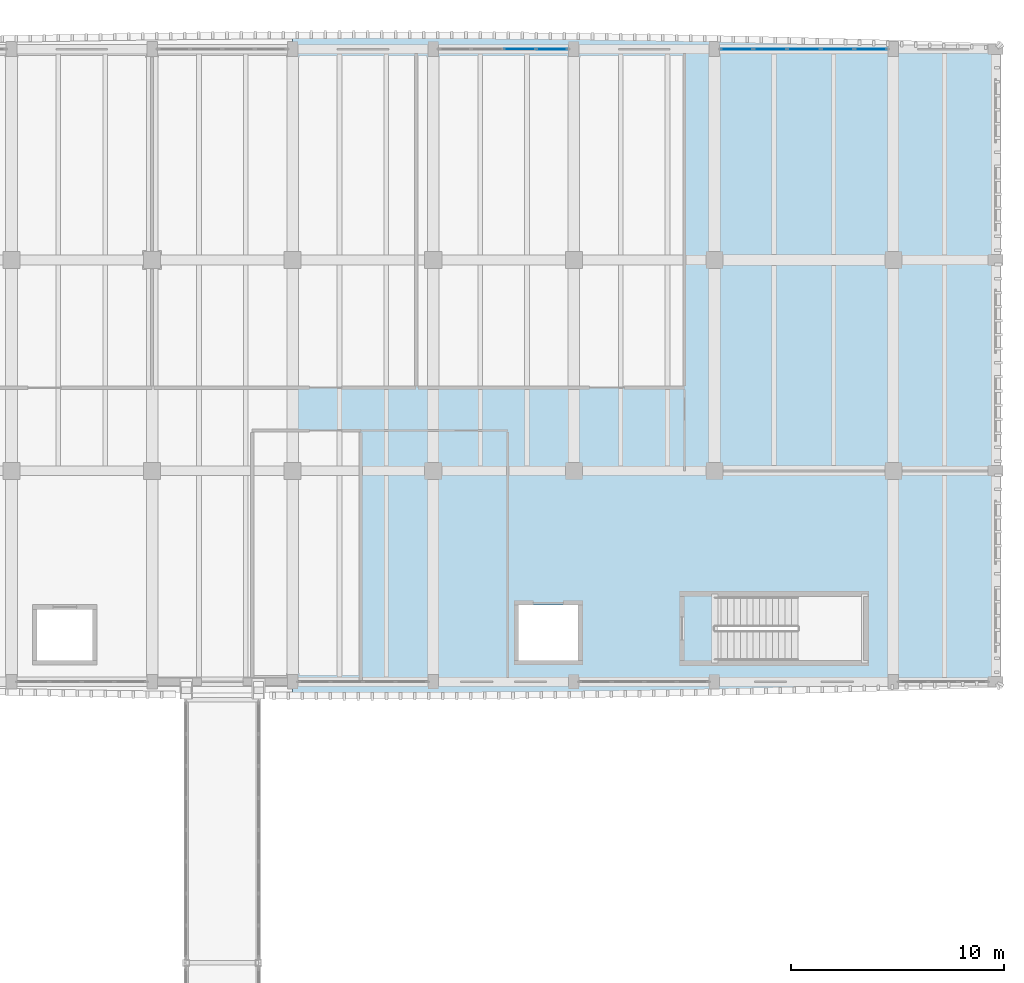
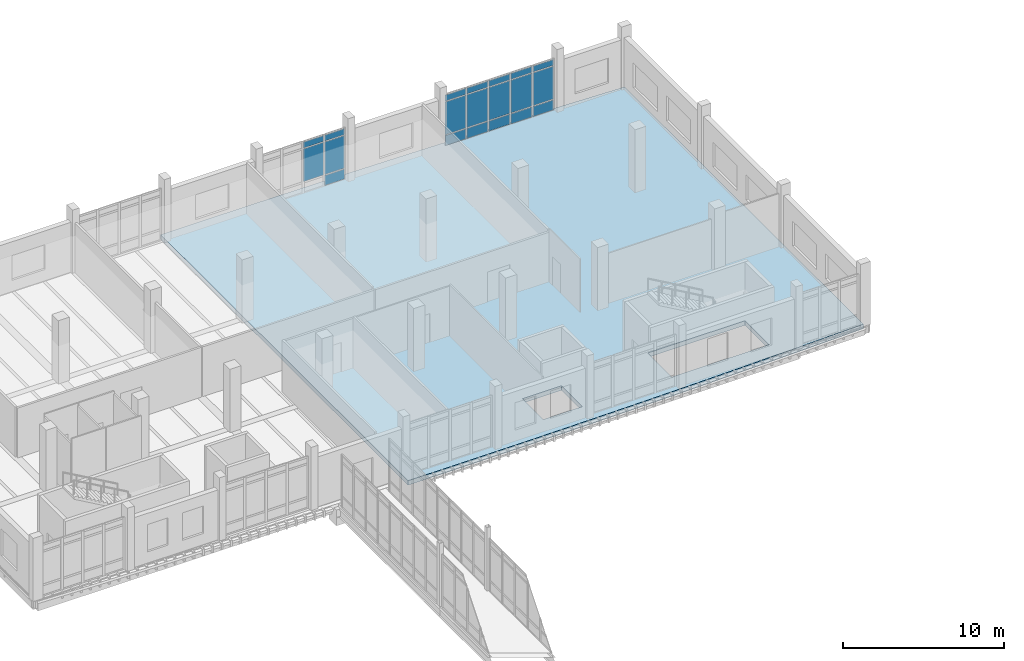
# One storey, part 79 of 125: 20 plates, 1 slab, 2 elements without a shape of their own.
"""IFC4 building model written with IfcOpenShell, lengths in metres."""

from ifc_helpers import new_model, si_unit, direction, frame, origin, origin_2d, place, context, subcontext, project, spatial, polyline, rectangle, outline, extrude, material, layer, layer_set, type_object, element, aggregate, save


model = new_model("IFC4")

# Units and contexts
model_context = context("Model", 3, precision=1e-05, world=origin(), true_north=direction((0.0, 1.0)))
body_context = subcontext(model_context, "Body", "Model", "MODEL_VIEW")
ifc_project = project(units=[si_unit("LENGTHUNIT", "METRE"), si_unit("AREAUNIT", "SQUARE_METRE"), si_unit("VOLUMEUNIT", "CUBIC_METRE"), si_unit("PLANEANGLEUNIT", "RADIAN"), si_unit("MASSUNIT", "GRAM", prefix="KILO")], contexts=[model_context])

# Site, building, storey
site_placement = place(None, origin())
site = spatial("IfcSite", under=ifc_project, at=site_placement, CompositionType="ELEMENT")
building_placement = place(site_placement, origin())
building = spatial("IfcBuilding", under=site, at=building_placement, Name="Dornvale Research Institute", CompositionType="ELEMENT")
storey_placement = place(building_placement, frame((0.0, 0.0, 5.39990234375)))
storey = spatial("IfcBuildingStorey", under=building, at=storey_placement, Name="L01", CompositionType="ELEMENT", Elevation=5.39990234375)

# Curtain wall, plate
ifc_material_1 = material(Name="Low-E Argon Double Insulating Glazing Unit", Category="glass")
curtain_wall_type_1 = type_object("IfcCurtainWallType", Name="UnitisedCurtainWall_V4_6100x3950", PredefinedType="USERDEFINED", material=ifc_material_1)
curtain_wall_1_placement = place(storey_placement, origin())
curtain_wall_1 = element("IfcCurtainWall", 1, at=curtain_wall_1_placement, inside=storey, type_object=curtain_wall_type_1, Name="L01 V4 unitised curtain wall CW-11 #75", ObjectType="UNITISED CURTAIN WALL", PredefinedType="USERDEFINED")
ifc_material_2 = material(Name="Insulated Ceramic-Frit Spandrel Glass Panel", Category="glass")
ifc_layer_1 = layer(ifc_material_2, 0.0419921875)
ifc_layer_set_1 = layer_set([ifc_layer_1], Name="Insulated Ceramic-Frit Spandrel Glass Panel")
plate_type_1 = type_object("IfcPlateType", Name="CurtainPanel_Spandrel_42", PredefinedType="CURTAIN_PANEL", material=ifc_layer_set_1)
plate_1_placement = place(storey_placement, frame((157.371337890625, 122.10009765625, 0.065185546875), z_axis=(0.0, 0.0, 1.0), x_axis=(1.0, 0.0, 0.0)))
plate_1 = element("IfcPlate", 2, at=plate_1_placement, type_object=plate_type_1, Name="CW-11 panel 4.1", PredefinedType="CURTAIN_PANEL", context=body_context, shape_type="SweptSolid", body=[
    extrude(rectangle(XDim=1.427490234375, YDim=0.0419921875, at=origin_2d()), origin(), (0.0, 0.0, 1.0), 0.75244140625),
])

# Curtain wall, plates
ifc_material_3 = material(Name="Low-E Argon Double Insulating Glazing Unit", Category="glass")
curtain_wall_type_2 = type_object("IfcCurtainWallType", Name="UnitisedCurtainWall_V4_7900x3950", PredefinedType="USERDEFINED", material=ifc_material_3)
curtain_wall_2_placement = place(storey_placement, origin())
curtain_wall_2 = element("IfcCurtainWall", 3, at=curtain_wall_2_placement, inside=storey, type_object=curtain_wall_type_2, Name="L01 V4 unitised curtain wall CW-12 #76", ObjectType="UNITISED CURTAIN WALL", PredefinedType="USERDEFINED")
plate_2_placement = place(storey_placement, frame((166.05615234375, 122.10009765625, 0.065185546875), z_axis=(0.0, 0.0, 1.0), x_axis=(1.0, 0.0, 0.0)))
plate_2 = element("IfcPlate", 4, at=plate_2_placement, type_object=plate_type_1, Name="CW-12 panel 1.1", PredefinedType="CURTAIN_PANEL", context=body_context, shape_type="SweptSolid", body=[
    extrude(rectangle(XDim=1.482421875, YDim=0.0419921875, at=origin_2d()), origin(), (0.0, 0.0, 1.0), 0.75244140625),
])
plate_3_placement = place(storey_placement, frame((167.6201171875, 122.10009765625, 0.065185546875), z_axis=(0.0, 0.0, 1.0), x_axis=(1.0, 0.0, 0.0)))
plate_3 = element("IfcPlate", 5, at=plate_3_placement, type_object=plate_type_1, Name="CW-12 panel 2.1", PredefinedType="CURTAIN_PANEL", context=body_context, shape_type="SweptSolid", body=[
    extrude(rectangle(XDim=1.514892578125, YDim=0.0419921875, at=origin_2d()), origin(), (0.0, 0.0, 1.0), 0.75244140625),
])
plate_4_placement = place(storey_placement, frame((169.199951171875, 122.10009765625, 0.065185546875), z_axis=(0.0, 0.0, 1.0), x_axis=(1.0, 0.0, 0.0)))
plate_4 = element("IfcPlate", 6, at=plate_4_placement, type_object=plate_type_1, Name="CW-12 panel 3.1", PredefinedType="CURTAIN_PANEL", context=body_context, shape_type="SweptSolid", body=[
    extrude(rectangle(XDim=1.514892578125, YDim=0.0419921875, at=origin_2d()), origin(), (0.0, 0.0, 1.0), 0.75244140625),
])
plate_5_placement = place(storey_placement, frame((170.780029296875, 122.10009765625, 0.065185546875), z_axis=(0.0, 0.0, 1.0), x_axis=(1.0, 0.0, 0.0)))
plate_5 = element("IfcPlate", 7, at=plate_5_placement, type_object=plate_type_1, Name="CW-12 panel 4.1", PredefinedType="CURTAIN_PANEL", context=body_context, shape_type="SweptSolid", body=[
    extrude(rectangle(XDim=1.514892578125, YDim=0.0419921875, at=origin_2d()), origin(), (0.0, 0.0, 1.0), 0.75244140625),
])
plate_6_placement = place(storey_placement, frame((172.34375, 122.10009765625, 0.065185546875), z_axis=(0.0, 0.0, 1.0), x_axis=(1.0, 0.0, 0.0)))
plate_6 = element("IfcPlate", 8, at=plate_6_placement, type_object=plate_type_1, Name="CW-12 panel 5.1", PredefinedType="CURTAIN_PANEL", context=body_context, shape_type="SweptSolid", body=[
    extrude(rectangle(XDim=1.482421875, YDim=0.0419921875, at=origin_2d()), origin(), (0.0, 0.0, 1.0), 0.75244140625),
])

# Plate
ifc_material_4 = material(Name="Low-E Argon Double Insulating Glazing Unit", Category="glass")
ifc_layer_2 = layer(ifc_material_4, 0.028076171875)
ifc_layer_set_2 = layer_set([ifc_layer_2], Name="Low-E Argon Double Insulating Glazing Unit")
plate_type_2 = type_object("IfcPlateType", Name="CurtainPanel_Vision_28", PredefinedType="CURTAIN_PANEL", material=ifc_layer_set_2)
plate_7_placement = place(storey_placement, frame((155.862548828125, 122.10009765625, 0.88232421875), z_axis=(0.0, 0.0, 1.0), x_axis=(1.0, 0.0, 0.0)))
plate_7 = element("IfcPlate", 9, at=plate_7_placement, type_object=plate_type_2, Name="CW-11 panel 3.2", PredefinedType="CURTAIN_PANEL", context=body_context, shape_type="SweptSolid", body=[
    extrude(rectangle(XDim=1.4599609375, YDim=0.028076171875, at=origin_2d()), origin(), (0.0, 0.0, 1.0), 2.485107421875),
])

plate_8_placement = place(storey_placement, frame((155.862548828125, 122.10009765625, 3.4326171875), z_axis=(0.0, 0.0, 1.0), x_axis=(1.0, 0.0, 0.0)))
plate_8 = element("IfcPlate", 10, at=plate_8_placement, type_object=plate_type_2, Name="CW-11 panel 3.3", PredefinedType="CURTAIN_PANEL", context=body_context, shape_type="SweptSolid", body=[
    extrude(rectangle(XDim=1.4599609375, YDim=0.028076171875, at=origin_2d()), origin(), (0.0, 0.0, 1.0), 0.452392578125),
])

plate_9_placement = place(storey_placement, frame((157.371337890625, 122.10009765625, 0.88232421875), z_axis=(0.0, 0.0, 1.0), x_axis=(1.0, 0.0, 0.0)))
plate_9 = element("IfcPlate", 11, at=plate_9_placement, type_object=plate_type_2, Name="CW-11 panel 4.2", PredefinedType="CURTAIN_PANEL", context=body_context, shape_type="SweptSolid", body=[
    extrude(rectangle(XDim=1.427490234375, YDim=0.028076171875, at=origin_2d()), origin(), (0.0, 0.0, 1.0), 2.485107421875),
])

plate_10_placement = place(storey_placement, frame((157.371337890625, 122.10009765625, 3.4326171875), z_axis=(0.0, 0.0, 1.0), x_axis=(1.0, 0.0, 0.0)))
plate_10 = element("IfcPlate", 12, at=plate_10_placement, type_object=plate_type_2, Name="CW-11 panel 4.3", PredefinedType="CURTAIN_PANEL", context=body_context, shape_type="SweptSolid", body=[
    extrude(rectangle(XDim=1.427490234375, YDim=0.028076171875, at=origin_2d()), origin(), (0.0, 0.0, 1.0), 0.452392578125),
])

aggregate(curtain_wall_1, [plate_7, plate_8, plate_1, plate_9, plate_10])

plate_11_placement = place(storey_placement, frame((166.05615234375, 122.10009765625, 0.88232421875), z_axis=(0.0, 0.0, 1.0), x_axis=(1.0, 0.0, 0.0)))
plate_11 = element("IfcPlate", 13, at=plate_11_placement, type_object=plate_type_2, Name="CW-12 panel 1.2", PredefinedType="CURTAIN_PANEL", context=body_context, shape_type="SweptSolid", body=[
    extrude(rectangle(XDim=1.482421875, YDim=0.028076171875, at=origin_2d()), origin(), (0.0, 0.0, 1.0), 2.485107421875),
])

plate_12_placement = place(storey_placement, frame((166.05615234375, 122.10009765625, 3.4326171875), z_axis=(0.0, 0.0, 1.0), x_axis=(1.0, 0.0, 0.0)))
plate_12 = element("IfcPlate", 14, at=plate_12_placement, type_object=plate_type_2, Name="CW-12 panel 1.3", PredefinedType="CURTAIN_PANEL", context=body_context, shape_type="SweptSolid", body=[
    extrude(rectangle(XDim=1.482421875, YDim=0.028076171875, at=origin_2d()), origin(), (0.0, 0.0, 1.0), 0.452392578125),
])

plate_13_placement = place(storey_placement, frame((167.6201171875, 122.10009765625, 0.88232421875), z_axis=(0.0, 0.0, 1.0), x_axis=(1.0, 0.0, 0.0)))
plate_13 = element("IfcPlate", 15, at=plate_13_placement, type_object=plate_type_2, Name="CW-12 panel 2.2", PredefinedType="CURTAIN_PANEL", context=body_context, shape_type="SweptSolid", body=[
    extrude(rectangle(XDim=1.514892578125, YDim=0.028076171875, at=origin_2d()), origin(), (0.0, 0.0, 1.0), 2.485107421875),
])

plate_14_placement = place(storey_placement, frame((167.6201171875, 122.10009765625, 3.4326171875), z_axis=(0.0, 0.0, 1.0), x_axis=(1.0, 0.0, 0.0)))
plate_14 = element("IfcPlate", 16, at=plate_14_placement, type_object=plate_type_2, Name="CW-12 panel 2.3", PredefinedType="CURTAIN_PANEL", context=body_context, shape_type="SweptSolid", body=[
    extrude(rectangle(XDim=1.514892578125, YDim=0.028076171875, at=origin_2d()), origin(), (0.0, 0.0, 1.0), 0.452392578125),
])

plate_15_placement = place(storey_placement, frame((169.199951171875, 122.10009765625, 0.88232421875), z_axis=(0.0, 0.0, 1.0), x_axis=(1.0, 0.0, 0.0)))
plate_15 = element("IfcPlate", 17, at=plate_15_placement, type_object=plate_type_2, Name="CW-12 panel 3.2", PredefinedType="CURTAIN_PANEL", context=body_context, shape_type="SweptSolid", body=[
    extrude(rectangle(XDim=1.514892578125, YDim=0.028076171875, at=origin_2d()), origin(), (0.0, 0.0, 1.0), 2.485107421875),
])

plate_16_placement = place(storey_placement, frame((169.199951171875, 122.10009765625, 3.4326171875), z_axis=(0.0, 0.0, 1.0), x_axis=(1.0, 0.0, 0.0)))
plate_16 = element("IfcPlate", 18, at=plate_16_placement, type_object=plate_type_2, Name="CW-12 panel 3.3", PredefinedType="CURTAIN_PANEL", context=body_context, shape_type="SweptSolid", body=[
    extrude(rectangle(XDim=1.514892578125, YDim=0.028076171875, at=origin_2d()), origin(), (0.0, 0.0, 1.0), 0.452392578125),
])

plate_17_placement = place(storey_placement, frame((170.780029296875, 122.10009765625, 0.88232421875), z_axis=(0.0, 0.0, 1.0), x_axis=(1.0, 0.0, 0.0)))
plate_17 = element("IfcPlate", 19, at=plate_17_placement, type_object=plate_type_2, Name="CW-12 panel 4.2", PredefinedType="CURTAIN_PANEL", context=body_context, shape_type="SweptSolid", body=[
    extrude(rectangle(XDim=1.514892578125, YDim=0.028076171875, at=origin_2d()), origin(), (0.0, 0.0, 1.0), 2.485107421875),
])

plate_18_placement = place(storey_placement, frame((170.780029296875, 122.10009765625, 3.4326171875), z_axis=(0.0, 0.0, 1.0), x_axis=(1.0, 0.0, 0.0)))
plate_18 = element("IfcPlate", 20, at=plate_18_placement, type_object=plate_type_2, Name="CW-12 panel 4.3", PredefinedType="CURTAIN_PANEL", context=body_context, shape_type="SweptSolid", body=[
    extrude(rectangle(XDim=1.514892578125, YDim=0.028076171875, at=origin_2d()), origin(), (0.0, 0.0, 1.0), 0.452392578125),
])

plate_19_placement = place(storey_placement, frame((172.34375, 122.10009765625, 0.88232421875), z_axis=(0.0, 0.0, 1.0), x_axis=(1.0, 0.0, 0.0)))
plate_19 = element("IfcPlate", 21, at=plate_19_placement, type_object=plate_type_2, Name="CW-12 panel 5.2", PredefinedType="CURTAIN_PANEL", context=body_context, shape_type="SweptSolid", body=[
    extrude(rectangle(XDim=1.482421875, YDim=0.028076171875, at=origin_2d()), origin(), (0.0, 0.0, 1.0), 2.485107421875),
])

plate_20_placement = place(storey_placement, frame((172.34375, 122.10009765625, 3.4326171875), z_axis=(0.0, 0.0, 1.0), x_axis=(1.0, 0.0, 0.0)))
plate_20 = element("IfcPlate", 22, at=plate_20_placement, type_object=plate_type_2, Name="CW-12 panel 5.3", PredefinedType="CURTAIN_PANEL", context=body_context, shape_type="SweptSolid", body=[
    extrude(rectangle(XDim=1.482421875, YDim=0.028076171875, at=origin_2d()), origin(), (0.0, 0.0, 1.0), 0.452392578125),
])

aggregate(curtain_wall_2, [plate_2, plate_11, plate_12, plate_3, plate_13, plate_14, plate_4, plate_15, plate_16, plate_5, plate_17, plate_18, plate_6, plate_19, plate_20])

# Slab
ifc_material_5 = material(Name="Concrete f'c 45 MPa (C35/45)", Category="concrete")
ifc_layer_3 = layer(ifc_material_5, 0.340087890625)
ifc_layer_set_3 = layer_set([ifc_layer_3], Name="Concrete f'c 45 MPa (C35/45)")
slab_type = type_object("IfcSlabType", Name="FloorSlab_WetLab_340", PredefinedType="FLOOR", material=ifc_layer_set_3)
slab_placement = place(storey_placement, frame((0.0, 0.0, -0.33984375)))
element("IfcSlab", 23, at=slab_placement, inside=storey, type_object=slab_type, Name="L01 V4 E floor slab", PredefinedType="FLOOR", context=body_context, shape_type="SweptSolid", body=[
    extrude(outline(polyline([(146.85009765625, 122.648193359375), (148.5, 122.64990234375), (150.14990234375, 122.648193359375), (151.800048828125, 122.643310546875), (153.449951171875, 122.634765625), (155.10009765625, 122.622802734375), (156.75, 122.607666015625), (158.39990234375, 122.5888671875), (160.050048828125, 122.56689453125), (161.699951171875, 122.54150390625), (163.35009765625, 122.512451171875), (165.0, 122.480224609375), (166.64990234375, 122.444580078125), (168.300048828125, 122.405517578125), (169.949951171875, 122.363037109375), (171.60009765625, 122.3173828125), (173.25, 122.26806640625), (174.89990234375, 122.21533203125), (176.550048828125, 122.159423828125), (178.199951171875, 122.10009765625), (178.199951171875, 92.39990234375), (176.550048828125, 92.340576171875), (174.89990234375, 92.28466796875), (173.25, 92.23193359375), (171.60009765625, 92.1826171875), (169.949951171875, 92.136962890625), (168.300048828125, 92.094482421875), (166.64990234375, 92.055419921875), (165.0, 92.019775390625), (163.35009765625, 91.987548828125), (161.699951171875, 91.95849609375), (160.050048828125, 91.93310546875), (158.39990234375, 91.9111328125), (156.75, 91.892333984375), (155.10009765625, 91.877197265625), (153.449951171875, 91.865234375), (151.800048828125, 91.856689453125), (150.14990234375, 91.851806640625), (148.5, 91.85009765625), (146.85009765625, 91.851806640625), (145.199951171875, 91.856689453125), (145.199951171875, 122.643310546875), (146.85009765625, 122.648193359375)]), holes=[polyline([(165.02001953125, 93.39990234375), (172.0, 93.39990234375), (172.0, 96.39990234375), (165.02001953125, 96.39990234375), (165.02001953125, 93.39990234375)]), polyline([(155.800048828125, 93.39990234375), (158.60009765625, 93.39990234375), (158.60009765625, 96.0), (155.800048828125, 96.0), (155.800048828125, 93.39990234375)])]), origin(), (0.0, 0.0, 1.0), 0.33984375),
])

save(model, "model.ifc")
